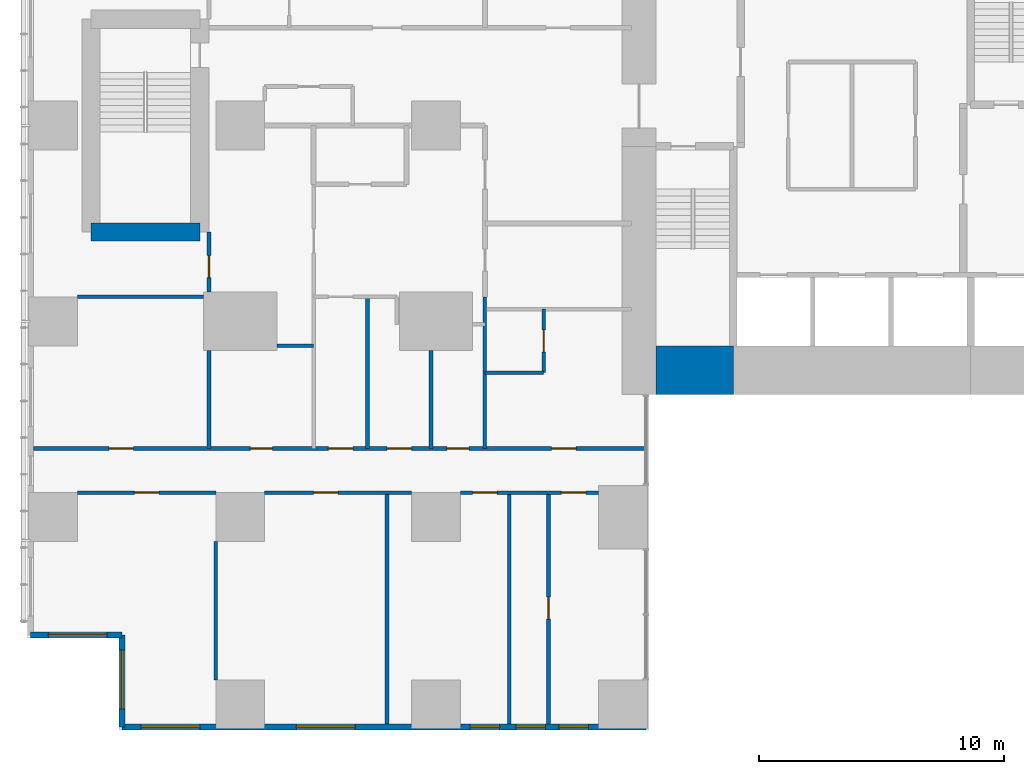
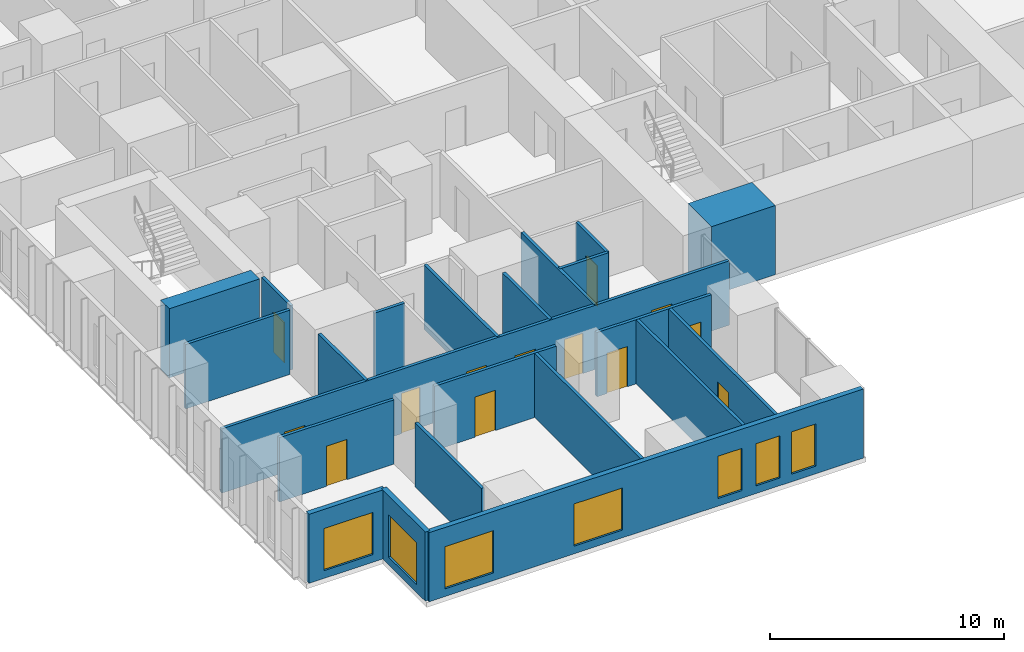
# One storey, part 12 of 20: 22 walls, 13 doors, 7 windows, 20 openings.
"""IFC4 building model written with IfcOpenShell, lengths in metres."""

from ifc_helpers import new_model, si_unit, direction, frame, frame_2d, origin, place, context, subcontext, project, spatial, rectangle, extrude, material, layer, layer_set, type_object, element, fill, save


model = new_model("IFC4")

# Units and contexts
model_context = context("Model", 3, precision=1e-05, world=origin(), true_north=direction((0.0, 1.0)))
body_context = subcontext(model_context, "Body", "Model", "MODEL_VIEW")
ifc_project = project(units=[si_unit("LENGTHUNIT", "METRE"), si_unit("AREAUNIT", "SQUARE_METRE"), si_unit("VOLUMEUNIT", "CUBIC_METRE"), si_unit("PLANEANGLEUNIT", "RADIAN"), si_unit("MASSUNIT", "GRAM", prefix="KILO")], contexts=[model_context])

# Site, building, storey
site_placement = place(None, origin())
site = spatial("IfcSite", under=ifc_project, at=site_placement, CompositionType="ELEMENT")
building_placement = place(site_placement, origin())
building = spatial("IfcBuilding", under=site, at=building_placement, Name="Cleftline Residences", CompositionType="ELEMENT")
storey_placement = place(building_placement, frame((0.0, 0.0, 96.199951171875)))
storey = spatial("IfcBuildingStorey", under=building, at=storey_placement, Name="L24", CompositionType="ELEMENT", Elevation=96.199951171875)

# Wall
ifc_material_1 = material(Name="Concrete B70", Category="concrete")
ifc_layer_1 = layer(ifc_material_1, 2.0)
ifc_layer_set_1 = layer_set([ifc_layer_1], Name="CORE WALL 2000")
wall_type_1 = type_object("IfcWallType", Name="CORE WALL 2000", PredefinedType="SHEAR", material=ifc_layer_set_1)
wall_1_placement = place(storey_placement, frame((25.0, 14.0, 0.0), z_axis=(0.0, 0.0, 1.0), x_axis=(1.0, 0.0, 0.0)))
element("IfcWall", 1, at=wall_1_placement, inside=storey, type_object=wall_type_1, Name="Core wall S1", PredefinedType="SHEAR", context=body_context, shape_type="SweptSolid", body=[
    extrude(rectangle(XDim=3.14990234375, YDim=2.0, at=frame_2d((1.574951171875, 0.0))), origin(), (0.0, 0.0, 1.0), 3.60009765625),
])

# Wall, opening, window
ifc_material_2 = material(Name="Rendered reinforced concrete blockwork", Category="masonry")
ifc_layer_2 = layer(ifc_material_2, 0.25)
ifc_layer_set_2 = layer_set([ifc_layer_2], Name="EXTERNAL WALL 250")
wall_type_2 = type_object("IfcWallType", Name="EXTERNAL WALL 250", PredefinedType="SOLIDWALL", material=ifc_layer_set_2)
wall_2_placement = place(storey_placement, frame((-0.574951171875, 3.175048828125, 0.0), z_axis=(0.0, 0.0, 1.0), x_axis=(1.0, 0.0, 0.0)))
wall_2 = element("IfcWall", 2, at=wall_2_placement, inside=storey, type_object=wall_type_2, Name="External wall", PredefinedType="SOLIDWALL", context=body_context, shape_type="SweptSolid", body=[
    extrude(rectangle(XDim=3.75, YDim=0.25, at=frame_2d((1.875, 0.0))), origin(), (0.0, 0.0, 1.0), 3.60009765625),
])
opening_1_placement = place(wall_2_placement, frame((0.737548828125, 0.0, 0.39990234375)))
opening_1 = element("IfcOpeningElement", 3, at=opening_1_placement, cuts=wall_2, Name="Opening W12", PredefinedType="OPENING", context=body_context, shape_type="SweptSolid", body=[
    extrude(rectangle(XDim=2.39990234375, YDim=2.199951171875, at=frame_2d((1.199951171875, 1.10009765625))), frame((0.0, 0.135009765625, 0.0), z_axis=(0.0, -1.0, 0.0), x_axis=(1.0, 0.0, 0.0)), (0.0, 0.0, 1.0), 0.27001953125),
])
ifc_material_3 = material(Name="Aluminium frame, clear double glazing", Category="aluminium")
window_type_1 = type_object("IfcWindowType", Name="WINDOW 2400X2200", PartitioningType="DOUBLE_PANEL_VERTICAL", PredefinedType="WINDOW", material=ifc_material_3)
window_1_placement = place(opening_1_placement, origin())
window_1 = element("IfcWindow", 4, at=window_1_placement, inside=storey, type_object=window_type_1, Name="Window", OverallHeight=2.199951171875, OverallWidth=2.39990234375, PartitioningType="SINGLE_PANEL", PredefinedType="WINDOW", context=body_context, shape_type="SweptSolid", body=[
    extrude(rectangle(XDim=2.39990234375, YDim=2.199951171875, at=frame_2d((1.199951171875, 1.10009765625))), frame((0.0, 0.030029296875, 0.0), z_axis=(0.0, -1.0, 0.0), x_axis=(1.0, 0.0, 0.0)), (0.0, 0.0, 1.0), 0.06005859375),
])
fill(opening_1, window_1)

wall_3_placement = place(storey_placement, frame((3.175048828125, 3.175048828125, 0.0), z_axis=(0.0, 0.0, 1.0), x_axis=(0.0, -1.0, 0.0)))
wall_3 = element("IfcWall", 5, at=wall_3_placement, inside=storey, type_object=wall_type_2, Name="External wall", PredefinedType="SOLIDWALL", context=body_context, shape_type="SweptSolid", body=[
    extrude(rectangle(XDim=3.75, YDim=0.25, at=frame_2d((1.875, 0.0))), origin(), (0.0, 0.0, 1.0), 3.60009765625),
])
opening_2_placement = place(wall_3_placement, frame((0.612548828125, 0.0, 0.39990234375)))
opening_2 = element("IfcOpeningElement", 6, at=opening_2_placement, cuts=wall_3, Name="Opening W12", PredefinedType="OPENING", context=body_context, shape_type="SweptSolid", body=[
    extrude(rectangle(XDim=2.39990234375, YDim=2.199951171875, at=frame_2d((1.199951171875, 1.10009765625))), frame((0.0, 0.135009765625, 0.0), z_axis=(0.0, -1.0, 0.0), x_axis=(1.0, 0.0, 0.0)), (0.0, 0.0, 1.0), 0.27001953125),
])
window_2_placement = place(opening_2_placement, origin())
window_2 = element("IfcWindow", 7, at=window_2_placement, inside=storey, type_object=window_type_1, Name="Window", OverallHeight=2.199951171875, OverallWidth=2.39990234375, PartitioningType="SINGLE_PANEL", PredefinedType="WINDOW", context=body_context, shape_type="SweptSolid", body=[
    extrude(rectangle(XDim=2.39990234375, YDim=2.199951171875, at=frame_2d((1.199951171875, 1.10009765625))), frame((0.0, 0.030029296875, 0.0), z_axis=(0.0, -1.0, 0.0), x_axis=(1.0, 0.0, 0.0)), (0.0, 0.0, 1.0), 0.06005859375),
])
fill(opening_2, window_2)

# Wall, openings, windows
wall_4_placement = place(storey_placement, frame((3.175048828125, -0.574951171875, 0.0), z_axis=(0.0, 0.0, 1.0), x_axis=(1.0, 0.0, 0.0)))
wall_4 = element("IfcWall", 8, at=wall_4_placement, inside=storey, type_object=wall_type_2, Name="External wall", PredefinedType="SOLIDWALL", context=body_context, shape_type="SweptSolid", body=[
    extrude(rectangle(XDim=21.39990234375, YDim=0.25, at=frame_2d((10.699951171875, 0.0))), origin(), (0.0, 0.0, 1.0), 3.60009765625),
])
opening_3_placement = place(wall_4_placement, frame((0.77490234375, 0.0, 0.39990234375)))
opening_3 = element("IfcOpeningElement", 9, at=opening_3_placement, cuts=wall_4, Name="Opening W12", PredefinedType="OPENING", context=body_context, shape_type="SweptSolid", body=[
    extrude(rectangle(XDim=2.39990234375, YDim=2.199951171875, at=frame_2d((1.199951171875, 1.10009765625))), frame((0.0, 0.135009765625, 0.0), z_axis=(0.0, -1.0, 0.0), x_axis=(1.0, 0.0, 0.0)), (0.0, 0.0, 1.0), 0.27001953125),
])
opening_4_placement = place(wall_4_placement, frame((7.125, 0.0, 0.39990234375)))
opening_4 = element("IfcOpeningElement", 10, at=opening_4_placement, cuts=wall_4, Name="Opening W12", PredefinedType="OPENING", context=body_context, shape_type="SweptSolid", body=[
    extrude(rectangle(XDim=2.39990234375, YDim=2.199951171875, at=frame_2d((1.199951171875, 1.10009765625))), frame((0.0, 0.135009765625, 0.0), z_axis=(0.0, -1.0, 0.0), x_axis=(1.0, 0.0, 0.0)), (0.0, 0.0, 1.0), 0.27001953125),
])
opening_5_placement = place(wall_4_placement, frame((14.22509765625, 0.0, 0.39990234375)))
opening_5 = element("IfcOpeningElement", 11, at=opening_5_placement, cuts=wall_4, Name="Opening W11", PredefinedType="OPENING", context=body_context, shape_type="SweptSolid", body=[
    extrude(rectangle(XDim=1.199951171875, YDim=2.199951171875, at=frame_2d((0.60009765625, 1.10009765625))), frame((0.0, 0.135009765625, 0.0), z_axis=(0.0, -1.0, 0.0), x_axis=(1.0, 0.0, 0.0)), (0.0, 0.0, 1.0), 0.27001953125),
])
opening_6_placement = place(wall_4_placement, frame((16.10009765625, 0.0, 0.39990234375)))
opening_6 = element("IfcOpeningElement", 12, at=opening_6_placement, cuts=wall_4, Name="Opening W11", PredefinedType="OPENING", context=body_context, shape_type="SweptSolid", body=[
    extrude(rectangle(XDim=1.199951171875, YDim=2.199951171875, at=frame_2d((0.60009765625, 1.10009765625))), frame((0.0, 0.135009765625, 0.0), z_axis=(0.0, -1.0, 0.0), x_axis=(1.0, 0.0, 0.0)), (0.0, 0.0, 1.0), 0.27001953125),
])
opening_7_placement = place(wall_4_placement, frame((17.85009765625, 0.0, 0.39990234375)))
opening_7 = element("IfcOpeningElement", 13, at=opening_7_placement, cuts=wall_4, Name="Opening W11", PredefinedType="OPENING", context=body_context, shape_type="SweptSolid", body=[
    extrude(rectangle(XDim=1.199951171875, YDim=2.199951171875, at=frame_2d((0.60009765625, 1.10009765625))), frame((0.0, 0.135009765625, 0.0), z_axis=(0.0, -1.0, 0.0), x_axis=(1.0, 0.0, 0.0)), (0.0, 0.0, 1.0), 0.27001953125),
])
ifc_material_4 = material(Name="Aluminium frame, clear double glazing", Category="aluminium")
window_type_2 = type_object("IfcWindowType", Name="WINDOW 1200X2200", PartitioningType="DOUBLE_PANEL_VERTICAL", PredefinedType="WINDOW", material=ifc_material_4)
window_3_placement = place(opening_5_placement, origin())
window_3 = element("IfcWindow", 14, at=window_3_placement, inside=storey, type_object=window_type_2, Name="Window", OverallHeight=2.199951171875, OverallWidth=1.199951171875, PartitioningType="SINGLE_PANEL", PredefinedType="WINDOW", context=body_context, shape_type="SweptSolid", body=[
    extrude(rectangle(XDim=1.199951171875, YDim=2.199951171875, at=frame_2d((0.60009765625, 1.10009765625))), frame((0.0, 0.030029296875, 0.0), z_axis=(0.0, -1.0, 0.0), x_axis=(1.0, 0.0, 0.0)), (0.0, 0.0, 1.0), 0.06005859375),
])
fill(opening_5, window_3)
window_4_placement = place(opening_6_placement, origin())
window_4 = element("IfcWindow", 15, at=window_4_placement, inside=storey, type_object=window_type_2, Name="Window", OverallHeight=2.199951171875, OverallWidth=1.199951171875, PartitioningType="SINGLE_PANEL", PredefinedType="WINDOW", context=body_context, shape_type="SweptSolid", body=[
    extrude(rectangle(XDim=1.199951171875, YDim=2.199951171875, at=frame_2d((0.60009765625, 1.10009765625))), frame((0.0, 0.030029296875, 0.0), z_axis=(0.0, -1.0, 0.0), x_axis=(1.0, 0.0, 0.0)), (0.0, 0.0, 1.0), 0.06005859375),
])
fill(opening_6, window_4)
window_5_placement = place(opening_7_placement, origin())
window_5 = element("IfcWindow", 16, at=window_5_placement, inside=storey, type_object=window_type_2, Name="Window", OverallHeight=2.199951171875, OverallWidth=1.199951171875, PartitioningType="SINGLE_PANEL", PredefinedType="WINDOW", context=body_context, shape_type="SweptSolid", body=[
    extrude(rectangle(XDim=1.199951171875, YDim=2.199951171875, at=frame_2d((0.60009765625, 1.10009765625))), frame((0.0, 0.030029296875, 0.0), z_axis=(0.0, -1.0, 0.0), x_axis=(1.0, 0.0, 0.0)), (0.0, 0.0, 1.0), 0.06005859375),
])
fill(opening_7, window_5)
window_6_placement = place(opening_3_placement, origin())
window_6 = element("IfcWindow", 17, at=window_6_placement, inside=storey, type_object=window_type_1, Name="Window", OverallHeight=2.199951171875, OverallWidth=2.39990234375, PartitioningType="SINGLE_PANEL", PredefinedType="WINDOW", context=body_context, shape_type="SweptSolid", body=[
    extrude(rectangle(XDim=2.39990234375, YDim=2.199951171875, at=frame_2d((1.199951171875, 1.10009765625))), frame((0.0, 0.030029296875, 0.0), z_axis=(0.0, -1.0, 0.0), x_axis=(1.0, 0.0, 0.0)), (0.0, 0.0, 1.0), 0.06005859375),
])
fill(opening_3, window_6)
window_7_placement = place(opening_4_placement, origin())
window_7 = element("IfcWindow", 18, at=window_7_placement, inside=storey, type_object=window_type_1, Name="Window", OverallHeight=2.199951171875, OverallWidth=2.39990234375, PartitioningType="SINGLE_PANEL", PredefinedType="WINDOW", context=body_context, shape_type="SweptSolid", body=[
    extrude(rectangle(XDim=2.39990234375, YDim=2.199951171875, at=frame_2d((1.199951171875, 1.10009765625))), frame((0.0, 0.030029296875, 0.0), z_axis=(0.0, -1.0, 0.0), x_axis=(1.0, 0.0, 0.0)), (0.0, 0.0, 1.0), 0.06005859375),
])
fill(opening_4, window_7)

# Wall, opening, door
ifc_material_5 = material(Name="Gypsum board on steel studs", Category="steel")
ifc_layer_3 = layer(ifc_material_5, 0.14990234375)
ifc_layer_set_3 = layer_set([ifc_layer_3], Name="PARTITION 150")
wall_type_3 = type_object("IfcWallType", Name="PARTITION 150", PredefinedType="PARTITIONING", material=ifc_layer_set_3)
wall_5_placement = place(storey_placement, frame((1.35009765625, 9.0, 0.0), z_axis=(0.0, 0.0, 1.0), x_axis=(1.0, 0.0, 0.0)))
wall_5 = element("IfcWall", 19, at=wall_5_placement, inside=storey, type_object=wall_type_3, Name="Partition", PredefinedType="PARTITIONING", context=body_context, shape_type="SweptSolid", body=[
    extrude(rectangle(XDim=5.64990234375, YDim=0.14990234375, at=frame_2d((2.824951171875, 0.0))), origin(), (0.0, 0.0, 1.0), 3.35009765625),
])
opening_8_placement = place(wall_5_placement, frame((2.324951171875, 0.0, 0.0)))
opening_8 = element("IfcOpeningElement", 20, at=opening_8_placement, cuts=wall_5, Name="Opening D2", PredefinedType="OPENING", context=body_context, shape_type="SweptSolid", body=[
    extrude(rectangle(XDim=1.0, YDim=2.10009765625, at=frame_2d((0.5, 1.050048828125))), frame((0.0, 0.0849609375, 0.0), z_axis=(0.0, -1.0, 0.0), x_axis=(1.0, 0.0, 0.0)), (0.0, 0.0, 1.0), 0.169921875),
])
ifc_material_6 = material(Name="Timber veneer on solid core", Category="wood")
door_type_1 = type_object("IfcDoorType", Name="DOOR 1000X2100", OperationType="SINGLE_SWING_LEFT", PredefinedType="DOOR", material=ifc_material_6)
door_1_placement = place(opening_8_placement, origin())
door_1 = element("IfcDoor", 21, at=door_1_placement, inside=storey, type_object=door_type_1, Name="Door to music room", OperationType="SINGLE_SWING_LEFT", OverallHeight=2.10009765625, OverallWidth=1.0, PredefinedType="DOOR", context=body_context, shape_type="SweptSolid", body=[
    extrude(rectangle(XDim=1.0, YDim=2.10009765625, at=frame_2d((0.5, 1.050048828125))), frame((0.0, 0.02490234375, 0.0), z_axis=(0.0, -1.0, 0.0), x_axis=(1.0, 0.0, 0.0)), (0.0, 0.0, 1.0), 0.050048828125),
])
fill(opening_8, door_1)

wall_6_placement = place(storey_placement, frame((9.0, 9.0, 0.0), z_axis=(0.0, 0.0, 1.0), x_axis=(1.0, 0.0, 0.0)))
wall_6 = element("IfcWall", 22, at=wall_6_placement, inside=storey, type_object=wall_type_3, Name="Partition", PredefinedType="PARTITIONING", context=body_context, shape_type="SweptSolid", body=[
    extrude(rectangle(XDim=6.0, YDim=0.14990234375, at=frame_2d((3.0, 0.0))), origin(), (0.0, 0.0, 1.0), 3.35009765625),
])
opening_9_placement = place(wall_6_placement, frame((2.0, 0.0, 0.0)))
opening_9 = element("IfcOpeningElement", 23, at=opening_9_placement, cuts=wall_6, Name="Opening D2", PredefinedType="OPENING", context=body_context, shape_type="SweptSolid", body=[
    extrude(rectangle(XDim=1.0, YDim=2.10009765625, at=frame_2d((0.5, 1.050048828125))), frame((0.0, 0.0849609375, 0.0), z_axis=(0.0, -1.0, 0.0), x_axis=(1.0, 0.0, 0.0)), (0.0, 0.0, 1.0), 0.169921875),
])
door_2_placement = place(opening_9_placement, origin())
door_2 = element("IfcDoor", 24, at=door_2_placement, inside=storey, type_object=door_type_1, Name="Door to living room", OperationType="SINGLE_SWING_RIGHT", OverallHeight=2.10009765625, OverallWidth=1.0, PredefinedType="DOOR", context=body_context, shape_type="SweptSolid", body=[
    extrude(rectangle(XDim=1.0, YDim=2.10009765625, at=frame_2d((0.5, 1.050048828125))), frame((0.0, 0.02490234375, 0.0), z_axis=(0.0, -1.0, 0.0), x_axis=(1.0, 0.0, 0.0)), (0.0, 0.0, 1.0), 0.050048828125),
])
fill(opening_9, door_2)

# Wall, openings, doors
wall_7_placement = place(storey_placement, frame((17.0, 9.0, 0.0), z_axis=(0.0, 0.0, 1.0), x_axis=(1.0, 0.0, 0.0)))
wall_7 = element("IfcWall", 25, at=wall_7_placement, inside=storey, type_object=wall_type_3, Name="Partition", PredefinedType="PARTITIONING", context=body_context, shape_type="SweptSolid", body=[
    extrude(rectangle(XDim=5.64990234375, YDim=0.14990234375, at=frame_2d((2.824951171875, 0.0))), origin(), (0.0, 0.0, 1.0), 3.35009765625),
])
opening_10_placement = place(wall_7_placement, frame((0.5, 0.0, 0.0)))
opening_10 = element("IfcOpeningElement", 26, at=opening_10_placement, cuts=wall_7, Name="Opening D2", PredefinedType="OPENING", context=body_context, shape_type="SweptSolid", body=[
    extrude(rectangle(XDim=1.0, YDim=2.10009765625, at=frame_2d((0.5, 1.050048828125))), frame((0.0, 0.0849609375, 0.0), z_axis=(0.0, -1.0, 0.0), x_axis=(1.0, 0.0, 0.0)), (0.0, 0.0, 1.0), 0.169921875),
])
opening_11_placement = place(wall_7_placement, frame((4.125, 0.0, 0.0)))
opening_11 = element("IfcOpeningElement", 27, at=opening_11_placement, cuts=wall_7, Name="Opening D2", PredefinedType="OPENING", context=body_context, shape_type="SweptSolid", body=[
    extrude(rectangle(XDim=1.0, YDim=2.10009765625, at=frame_2d((0.5, 1.050048828125))), frame((0.0, 0.0849609375, 0.0), z_axis=(0.0, -1.0, 0.0), x_axis=(1.0, 0.0, 0.0)), (0.0, 0.0, 1.0), 0.169921875),
])
door_3_placement = place(opening_10_placement, origin())
door_3 = element("IfcDoor", 28, at=door_3_placement, inside=storey, type_object=door_type_1, Name="Door to dining room", OperationType="SINGLE_SWING_RIGHT", OverallHeight=2.10009765625, OverallWidth=1.0, PredefinedType="DOOR", context=body_context, shape_type="SweptSolid", body=[
    extrude(rectangle(XDim=1.0, YDim=2.10009765625, at=frame_2d((0.5, 1.050048828125))), frame((0.0, 0.02490234375, 0.0), z_axis=(0.0, -1.0, 0.0), x_axis=(1.0, 0.0, 0.0)), (0.0, 0.0, 1.0), 0.050048828125),
])
fill(opening_10, door_3)
door_4_placement = place(opening_11_placement, origin())
door_4 = element("IfcDoor", 29, at=door_4_placement, inside=storey, type_object=door_type_1, Name="Door to show kitchen", OperationType="SINGLE_SWING_LEFT", OverallHeight=2.10009765625, OverallWidth=1.0, PredefinedType="DOOR", context=body_context, shape_type="SweptSolid", body=[
    extrude(rectangle(XDim=1.0, YDim=2.10009765625, at=frame_2d((0.5, 1.050048828125))), frame((0.0, 0.02490234375, 0.0), z_axis=(0.0, -1.0, 0.0), x_axis=(1.0, 0.0, 0.0)), (0.0, 0.0, 1.0), 0.050048828125),
])
fill(opening_11, door_4)

wall_8_placement = place(storey_placement, frame((-0.449951171875, 10.800048828125, 0.0), z_axis=(0.0, 0.0, 1.0), x_axis=(1.0, 0.0, 0.0)))
wall_8 = element("IfcWall", 30, at=wall_8_placement, inside=storey, type_object=wall_type_3, Name="Partition", PredefinedType="PARTITIONING", context=body_context, shape_type="SweptSolid", body=[
    extrude(rectangle(XDim=25.010986328125, YDim=0.14990234375, at=frame_2d((12.50537109375, 0.0))), origin(), (0.0, 0.0, 1.0), 3.35009765625),
])
opening_12_placement = place(wall_8_placement, frame((12.050048828125, 0.0, 0.0)))
opening_12 = element("IfcOpeningElement", 31, at=opening_12_placement, cuts=wall_8, Name="Opening D2", PredefinedType="OPENING", context=body_context, shape_type="SweptSolid", body=[
    extrude(rectangle(XDim=1.0, YDim=2.10009765625, at=frame_2d((0.5, 1.050048828125))), frame((0.0, 0.0849609375, 0.0), z_axis=(0.0, -1.0, 0.0), x_axis=(1.0, 0.0, 0.0)), (0.0, 0.0, 1.0), 0.169921875),
])
opening_13_placement = place(wall_8_placement, frame((3.08740234375, 0.0, 0.0)))
opening_13 = element("IfcOpeningElement", 32, at=opening_13_placement, cuts=wall_8, Name="Opening D2", PredefinedType="OPENING", context=body_context, shape_type="SweptSolid", body=[
    extrude(rectangle(XDim=1.0, YDim=2.10009765625, at=frame_2d((0.5, 1.050048828125))), frame((0.0, 0.0849609375, 0.0), z_axis=(0.0, -1.0, 0.0), x_axis=(1.0, 0.0, 0.0)), (0.0, 0.0, 1.0), 0.169921875),
])
opening_14_placement = place(wall_8_placement, frame((8.862548828125, 0.0, 0.0)))
opening_14 = element("IfcOpeningElement", 33, at=opening_14_placement, cuts=wall_8, Name="Opening D1", PredefinedType="OPENING", context=body_context, shape_type="SweptSolid", body=[
    extrude(rectangle(XDim=0.89990234375, YDim=2.10009765625, at=frame_2d((0.449951171875, 1.050048828125))), frame((0.0, 0.0849609375, 0.0), z_axis=(0.0, -1.0, 0.0), x_axis=(1.0, 0.0, 0.0)), (0.0, 0.0, 1.0), 0.169921875),
])
opening_15_placement = place(wall_8_placement, frame((14.449951171875, 0.0, 0.0)))
opening_15 = element("IfcOpeningElement", 34, at=opening_15_placement, cuts=wall_8, Name="Opening D2", PredefinedType="OPENING", context=body_context, shape_type="SweptSolid", body=[
    extrude(rectangle(XDim=1.0, YDim=2.10009765625, at=frame_2d((0.5, 1.050048828125))), frame((0.0, 0.0849609375, 0.0), z_axis=(0.0, -1.0, 0.0), x_axis=(1.0, 0.0, 0.0)), (0.0, 0.0, 1.0), 0.169921875),
])
opening_16_placement = place(wall_8_placement, frame((16.89990234375, 0.0, 0.0)))
opening_16 = element("IfcOpeningElement", 35, at=opening_16_placement, cuts=wall_8, Name="Opening D1", PredefinedType="OPENING", context=body_context, shape_type="SweptSolid", body=[
    extrude(rectangle(XDim=0.89990234375, YDim=2.10009765625, at=frame_2d((0.449951171875, 1.050048828125))), frame((0.0, 0.0849609375, 0.0), z_axis=(0.0, -1.0, 0.0), x_axis=(1.0, 0.0, 0.0)), (0.0, 0.0, 1.0), 0.169921875),
])
opening_17_placement = place(wall_8_placement, frame((21.175048828125, 0.0, 0.0)))
opening_17 = element("IfcOpeningElement", 36, at=opening_17_placement, cuts=wall_8, Name="Opening D2", PredefinedType="OPENING", context=body_context, shape_type="SweptSolid", body=[
    extrude(rectangle(XDim=1.0, YDim=2.10009765625, at=frame_2d((0.5, 1.050048828125))), frame((0.0, 0.0849609375, 0.0), z_axis=(0.0, -1.0, 0.0), x_axis=(1.0, 0.0, 0.0)), (0.0, 0.0, 1.0), 0.169921875),
])
door_5_placement = place(opening_12_placement, origin())
door_5 = element("IfcDoor", 37, at=door_5_placement, inside=storey, type_object=door_type_1, Name="Door to residence hall", OperationType="SINGLE_SWING_LEFT", OverallHeight=2.10009765625, OverallWidth=1.0, PredefinedType="DOOR", context=body_context, shape_type="SweptSolid", body=[
    extrude(rectangle(XDim=1.0, YDim=2.10009765625, at=frame_2d((0.5, 1.050048828125))), frame((0.0, 0.02490234375, 0.0), z_axis=(0.0, -1.0, 0.0), x_axis=(1.0, 0.0, 0.0)), (0.0, 0.0, 1.0), 0.050048828125),
])
fill(opening_12, door_5)
door_6_placement = place(opening_13_placement, origin())
door_6 = element("IfcDoor", 38, at=door_6_placement, inside=storey, type_object=door_type_1, Name="Door to altar room", OperationType="SINGLE_SWING_RIGHT", OverallHeight=2.10009765625, OverallWidth=1.0, PredefinedType="DOOR", context=body_context, shape_type="SweptSolid", body=[
    extrude(rectangle(XDim=1.0, YDim=2.10009765625, at=frame_2d((0.5, 1.050048828125))), frame((0.0, 0.02490234375, 0.0), z_axis=(0.0, -1.0, 0.0), x_axis=(1.0, 0.0, 0.0)), (0.0, 0.0, 1.0), 0.050048828125),
])
fill(opening_13, door_6)
door_7_placement = place(opening_15_placement, origin())
door_7 = element("IfcDoor", 39, at=door_7_placement, inside=storey, type_object=door_type_1, Name="Door to wet kitchen", OperationType="SINGLE_SWING_LEFT", OverallHeight=2.10009765625, OverallWidth=1.0, PredefinedType="DOOR", context=body_context, shape_type="SweptSolid", body=[
    extrude(rectangle(XDim=1.0, YDim=2.10009765625, at=frame_2d((0.5, 1.050048828125))), frame((0.0, 0.02490234375, 0.0), z_axis=(0.0, -1.0, 0.0), x_axis=(1.0, 0.0, 0.0)), (0.0, 0.0, 1.0), 0.050048828125),
])
fill(opening_15, door_7)
door_8_placement = place(opening_17_placement, origin())
door_8 = element("IfcDoor", 40, at=door_8_placement, inside=storey, type_object=door_type_1, Name="Door to staff bedroom", OperationType="SINGLE_SWING_LEFT", OverallHeight=2.10009765625, OverallWidth=1.0, PredefinedType="DOOR", context=body_context, shape_type="SweptSolid", body=[
    extrude(rectangle(XDim=1.0, YDim=2.10009765625, at=frame_2d((0.5, 1.050048828125))), frame((0.0, 0.02490234375, 0.0), z_axis=(0.0, -1.0, 0.0), x_axis=(1.0, 0.0, 0.0)), (0.0, 0.0, 1.0), 0.050048828125),
])
fill(opening_17, door_8)
ifc_material_7 = material(Name="Timber veneer on solid core", Category="wood")
door_type_2 = type_object("IfcDoorType", Name="DOOR 900X2100", OperationType="SINGLE_SWING_LEFT", PredefinedType="DOOR", material=ifc_material_7)
door_9_placement = place(opening_14_placement, origin())
door_9 = element("IfcDoor", 41, at=door_9_placement, inside=storey, type_object=door_type_2, Name="Door to wine room", OperationType="SINGLE_SWING_RIGHT", OverallHeight=2.10009765625, OverallWidth=0.89990234375, PredefinedType="DOOR", context=body_context, shape_type="SweptSolid", body=[
    extrude(rectangle(XDim=0.89990234375, YDim=2.10009765625, at=frame_2d((0.449951171875, 1.050048828125))), frame((0.0, 0.02490234375, 0.0), z_axis=(0.0, -1.0, 0.0), x_axis=(1.0, 0.0, 0.0)), (0.0, 0.0, 1.0), 0.050048828125),
])
fill(opening_14, door_9)
door_10_placement = place(opening_16_placement, origin())
door_10 = element("IfcDoor", 42, at=door_10_placement, inside=storey, type_object=door_type_2, Name="Door to pantry", OperationType="SINGLE_SWING_LEFT", OverallHeight=2.10009765625, OverallWidth=0.89990234375, PredefinedType="DOOR", context=body_context, shape_type="SweptSolid", body=[
    extrude(rectangle(XDim=0.89990234375, YDim=2.10009765625, at=frame_2d((0.449951171875, 1.050048828125))), frame((0.0, 0.02490234375, 0.0), z_axis=(0.0, -1.0, 0.0), x_axis=(1.0, 0.0, 0.0)), (0.0, 0.0, 1.0), 0.050048828125),
])
fill(opening_16, door_10)

# Walls
wall_9_placement = place(storey_placement, frame((18.0, 13.89990234375, 0.0), z_axis=(0.0, 0.0, 1.0), x_axis=(1.0, 0.0, 0.0)))
element("IfcWall", 43, at=wall_9_placement, inside=storey, type_object=wall_type_3, Name="Partition", PredefinedType="PARTITIONING", context=body_context, shape_type="SweptSolid", body=[
    extrude(rectangle(XDim=2.39990234375, YDim=0.14990234375, at=frame_2d((1.199951171875, 0.0))), origin(), (0.0, 0.0, 1.0), 3.35009765625),
])
wall_10_placement = place(storey_placement, frame((9.5, 15.0, 0.0), z_axis=(0.0, 0.0, 1.0), x_axis=(1.0, 0.0, 0.0)))
element("IfcWall", 44, at=wall_10_placement, inside=storey, type_object=wall_type_3, Name="Partition", PredefinedType="PARTITIONING", context=body_context, shape_type="SweptSolid", body=[
    extrude(rectangle(XDim=1.5, YDim=0.14990234375, at=frame_2d((0.75, 0.0))), origin(), (0.0, 0.0, 1.0), 3.35009765625),
])
wall_11_placement = place(storey_placement, frame((1.35009765625, 17.0, 0.0), z_axis=(0.0, 0.0, 1.0), x_axis=(1.0, 0.0, 0.0)))
element("IfcWall", 45, at=wall_11_placement, inside=storey, type_object=wall_type_3, Name="Partition", PredefinedType="PARTITIONING", context=body_context, shape_type="SweptSolid", body=[
    extrude(rectangle(XDim=5.14990234375, YDim=0.14990234375, at=frame_2d((2.574951171875, 0.0))), origin(), (0.0, 0.0, 1.0), 3.35009765625),
])
wall_12_placement = place(storey_placement, frame((6.72509765625, 10.800048828125, 0.0), z_axis=(0.0, 0.0, 1.0), x_axis=(0.0, 1.0, 0.0)))
element("IfcWall", 46, at=wall_12_placement, inside=storey, type_object=wall_type_3, Name="Partition", PredefinedType="PARTITIONING", context=body_context, shape_type="SweptSolid", body=[
    extrude(rectangle(XDim=4.0, YDim=0.14990234375, at=frame_2d((2.0, 0.0))), origin(), (0.0, 0.0, 1.0), 3.35009765625),
])

# Wall, opening, door
wall_13_placement = place(storey_placement, frame((6.72509765625, 17.199951171875, 0.0), z_axis=(0.0, 0.0, 1.0), x_axis=(0.0, 1.0, 0.0)))
wall_13 = element("IfcWall", 47, at=wall_13_placement, inside=storey, type_object=wall_type_3, Name="Partition", PredefinedType="PARTITIONING", context=body_context, shape_type="SweptSolid", body=[
    extrude(rectangle(XDim=2.449951171875, YDim=0.14990234375, at=frame_2d((1.22509765625, 0.0))), origin(), (0.0, 0.0, 1.0), 3.35009765625),
])
opening_18_placement = place(wall_13_placement, frame((0.58740234375, 0.0, 0.0)))
opening_18 = element("IfcOpeningElement", 48, at=opening_18_placement, cuts=wall_13, Name="Opening D1", PredefinedType="OPENING", context=body_context, shape_type="SweptSolid", body=[
    extrude(rectangle(XDim=0.89990234375, YDim=2.10009765625, at=frame_2d((0.449951171875, 1.050048828125))), frame((0.0, 0.0849609375, 0.0), z_axis=(0.0, -1.0, 0.0), x_axis=(1.0, 0.0, 0.0)), (0.0, 0.0, 1.0), 0.169921875),
])
door_11_placement = place(opening_18_placement, origin())
door_11 = element("IfcDoor", 49, at=door_11_placement, inside=storey, type_object=door_type_2, Name="Door to service loggia", OperationType="SINGLE_SWING_RIGHT", OverallHeight=2.10009765625, OverallWidth=0.89990234375, PredefinedType="DOOR", context=body_context, shape_type="SweptSolid", body=[
    extrude(rectangle(XDim=0.89990234375, YDim=2.10009765625, at=frame_2d((0.449951171875, 1.050048828125))), frame((0.0, 0.02490234375, 0.0), z_axis=(0.0, -1.0, 0.0), x_axis=(1.0, 0.0, 0.0)), (0.0, 0.0, 1.0), 0.050048828125),
])
fill(opening_18, door_11)

# Walls
wall_14_placement = place(storey_placement, frame((7.0, 1.35009765625, 0.0), z_axis=(0.0, 0.0, 1.0), x_axis=(0.0, 1.0, 0.0)))
element("IfcWall", 50, at=wall_14_placement, inside=storey, type_object=wall_type_3, Name="Partition", PredefinedType="PARTITIONING", context=body_context, shape_type="SweptSolid", body=[
    extrude(rectangle(XDim=5.64990234375, YDim=0.14990234375, at=frame_2d((2.824951171875, 0.0))), origin(), (0.0, 0.0, 1.0), 3.35009765625),
])
wall_15_placement = place(storey_placement, frame((13.199951171875, 10.800048828125, 0.0), z_axis=(0.0, 0.0, 1.0), x_axis=(0.0, 1.0, 0.0)))
element("IfcWall", 51, at=wall_15_placement, inside=storey, type_object=wall_type_3, Name="Partition", PredefinedType="PARTITIONING", context=body_context, shape_type="SweptSolid", body=[
    extrude(rectangle(XDim=6.199951171875, YDim=0.14990234375, at=frame_2d((3.10009765625, 0.0))), origin(), (0.0, 0.0, 1.0), 3.35009765625),
])
wall_16_placement = place(storey_placement, frame((14.0, -0.449951171875, 0.0), z_axis=(0.0, 0.0, 1.0), x_axis=(0.0, 1.0, 0.0)))
element("IfcWall", 52, at=wall_16_placement, inside=storey, type_object=wall_type_3, Name="Partition", PredefinedType="PARTITIONING", context=body_context, shape_type="SweptSolid", body=[
    extrude(rectangle(XDim=9.449951171875, YDim=0.14990234375, at=frame_2d((4.72509765625, 0.0))), origin(), (0.0, 0.0, 1.0), 3.35009765625),
])
wall_17_placement = place(storey_placement, frame((15.800048828125, 10.800048828125, 0.0), z_axis=(0.0, 0.0, 1.0), x_axis=(0.0, 1.0, 0.0)))
element("IfcWall", 53, at=wall_17_placement, inside=storey, type_object=wall_type_3, Name="Partition", PredefinedType="PARTITIONING", context=body_context, shape_type="SweptSolid", body=[
    extrude(rectangle(XDim=4.0, YDim=0.14990234375, at=frame_2d((2.0, 0.0))), origin(), (0.0, 0.0, 1.0), 3.35009765625),
])
wall_18_placement = place(storey_placement, frame((18.0, 10.800048828125, 0.0), z_axis=(0.0, 0.0, 1.0), x_axis=(0.0, 1.0, 0.0)))
element("IfcWall", 54, at=wall_18_placement, inside=storey, type_object=wall_type_3, Name="Partition", PredefinedType="PARTITIONING", context=body_context, shape_type="SweptSolid", body=[
    extrude(rectangle(XDim=6.199951171875, YDim=0.14990234375, at=frame_2d((3.10009765625, 0.0))), origin(), (0.0, 0.0, 1.0), 3.35009765625),
])
wall_19_placement = place(storey_placement, frame((19.0, -0.449951171875, 0.0), z_axis=(0.0, 0.0, 1.0), x_axis=(0.0, 1.0, 0.0)))
element("IfcWall", 55, at=wall_19_placement, inside=storey, type_object=wall_type_3, Name="Partition", PredefinedType="PARTITIONING", context=body_context, shape_type="SweptSolid", body=[
    extrude(rectangle(XDim=9.449951171875, YDim=0.14990234375, at=frame_2d((4.72509765625, 0.0))), origin(), (0.0, 0.0, 1.0), 3.35009765625),
])

# Wall, opening, door
wall_20_placement = place(storey_placement, frame((20.39990234375, 13.89990234375, 0.0), z_axis=(0.0, 0.0, 1.0), x_axis=(0.0, 1.0, 0.0)))
wall_20 = element("IfcWall", 56, at=wall_20_placement, inside=storey, type_object=wall_type_3, Name="Partition", PredefinedType="PARTITIONING", context=body_context, shape_type="SweptSolid", body=[
    extrude(rectangle(XDim=2.60009765625, YDim=0.14990234375, at=frame_2d((1.300048828125, 0.0))), origin(), (0.0, 0.0, 1.0), 3.35009765625),
])
opening_19_placement = place(wall_20_placement, frame((0.85009765625, 0.0, 0.0)))
opening_19 = element("IfcOpeningElement", 57, at=opening_19_placement, cuts=wall_20, Name="Opening D1", PredefinedType="OPENING", context=body_context, shape_type="SweptSolid", body=[
    extrude(rectangle(XDim=0.89990234375, YDim=2.10009765625, at=frame_2d((0.449951171875, 1.050048828125))), frame((0.0, 0.0849609375, 0.0), z_axis=(0.0, -1.0, 0.0), x_axis=(1.0, 0.0, 0.0)), (0.0, 0.0, 1.0), 0.169921875),
])
door_12_placement = place(opening_19_placement, origin())
door_12 = element("IfcDoor", 58, at=door_12_placement, inside=storey, type_object=door_type_2, Name="Door to staff shower room", OperationType="SINGLE_SWING_LEFT", OverallHeight=2.10009765625, OverallWidth=0.89990234375, PredefinedType="DOOR", context=body_context, shape_type="SweptSolid", body=[
    extrude(rectangle(XDim=0.89990234375, YDim=2.10009765625, at=frame_2d((0.449951171875, 1.050048828125))), frame((0.0, 0.02490234375, 0.0), z_axis=(0.0, -1.0, 0.0), x_axis=(1.0, 0.0, 0.0)), (0.0, 0.0, 1.0), 0.050048828125),
])
fill(opening_19, door_12)

wall_21_placement = place(storey_placement, frame((20.60009765625, -0.449951171875, 0.0), z_axis=(0.0, 0.0, 1.0), x_axis=(0.0, 1.0, 0.0)))
wall_21 = element("IfcWall", 59, at=wall_21_placement, inside=storey, type_object=wall_type_3, Name="Partition", PredefinedType="PARTITIONING", context=body_context, shape_type="SweptSolid", body=[
    extrude(rectangle(XDim=9.449951171875, YDim=0.14990234375, at=frame_2d((4.72509765625, 0.0))), origin(), (0.0, 0.0, 1.0), 3.35009765625),
])
opening_20_placement = place(wall_21_placement, frame((4.27490234375, 0.0, 0.0)))
opening_20 = element("IfcOpeningElement", 60, at=opening_20_placement, cuts=wall_21, Name="Opening D1", PredefinedType="OPENING", context=body_context, shape_type="SweptSolid", body=[
    extrude(rectangle(XDim=0.89990234375, YDim=2.10009765625, at=frame_2d((0.449951171875, 1.050048828125))), frame((0.0, 0.0849609375, 0.0), z_axis=(0.0, -1.0, 0.0), x_axis=(1.0, 0.0, 0.0)), (0.0, 0.0, 1.0), 0.169921875),
])
door_13_placement = place(opening_20_placement, origin())
door_13 = element("IfcDoor", 61, at=door_13_placement, inside=storey, type_object=door_type_2, Name="Door to larder", OperationType="SINGLE_SWING_LEFT", OverallHeight=2.10009765625, OverallWidth=0.89990234375, PredefinedType="DOOR", context=body_context, shape_type="SweptSolid", body=[
    extrude(rectangle(XDim=0.89990234375, YDim=2.10009765625, at=frame_2d((0.449951171875, 1.050048828125))), frame((0.0, 0.02490234375, 0.0), z_axis=(0.0, -1.0, 0.0), x_axis=(1.0, 0.0, 0.0)), (0.0, 0.0, 1.0), 0.050048828125),
])
fill(opening_20, door_13)

# Wall
ifc_material_8 = material(Name="Concrete B70", Category="concrete")
ifc_layer_4 = layer(ifc_material_8, 0.75)
ifc_layer_set_4 = layer_set([ifc_layer_4], Name="SHEAR WALL 750")
wall_type_4 = type_object("IfcWallType", Name="SHEAR WALL 750", PredefinedType="SHEAR", material=ifc_layer_set_4)
wall_22_placement = place(storey_placement, frame((1.89990234375, 19.64990234375, 0.0), z_axis=(0.0, 0.0, 1.0), x_axis=(1.0, 0.0, 0.0)))
element("IfcWall", 62, at=wall_22_placement, inside=storey, type_object=wall_type_4, Name="Wing shear wall", PredefinedType="SHEAR", context=body_context, shape_type="SweptSolid", body=[
    extrude(rectangle(XDim=4.4501953125, YDim=0.75, at=frame_2d((2.22509765625, 0.0))), origin(), (0.0, 0.0, 1.0), 3.60009765625),
])

save(model, "model.ifc")
